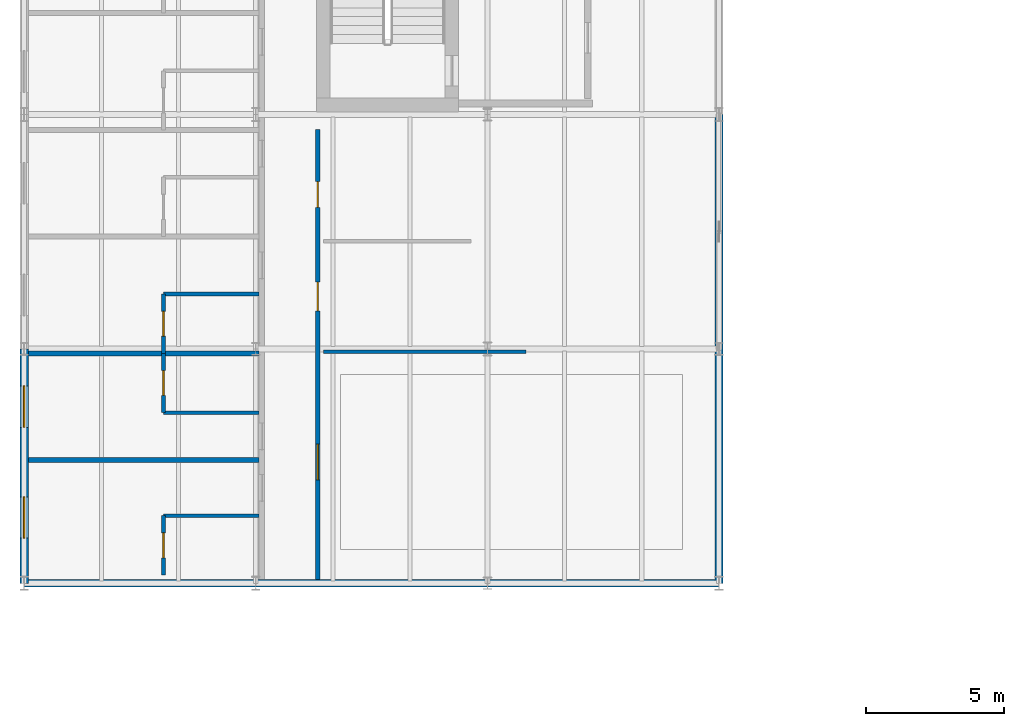
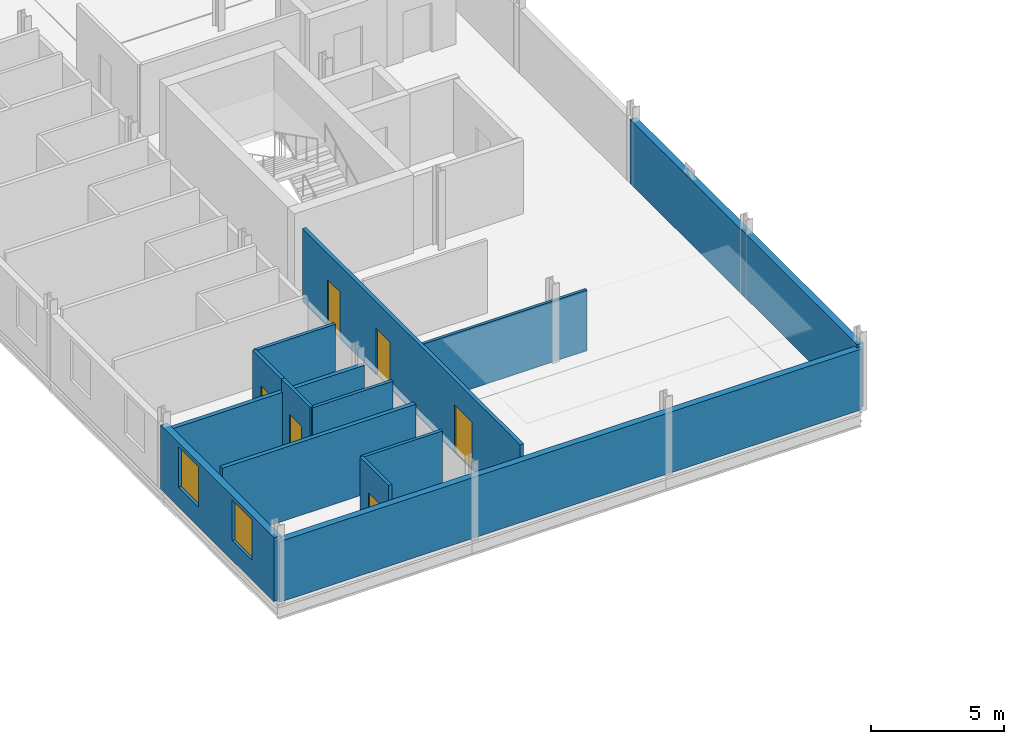
# One storey, part 19 of 36: 13 walls, 6 doors, 2 windows, 8 openings.
"""IFC4 building model written with IfcOpenShell, lengths in metres."""

from ifc_helpers import new_model, si_unit, direction, frame, frame_2d, origin, place, context, subcontext, project, spatial, rectangle, extrude, material, layer, layer_set, type_object, element, fill, save


model = new_model("IFC4")

# Units and contexts
model_context = context("Model", 3, precision=1e-05, world=origin(), true_north=direction((0.0, 1.0)))
body_context = subcontext(model_context, "Body", "Model", "MODEL_VIEW")
ifc_project = project(units=[si_unit("LENGTHUNIT", "METRE"), si_unit("AREAUNIT", "SQUARE_METRE"), si_unit("VOLUMEUNIT", "CUBIC_METRE"), si_unit("PLANEANGLEUNIT", "RADIAN"), si_unit("MASSUNIT", "GRAM", prefix="KILO")], contexts=[model_context])

# Site, building, storey
site_placement = place(None, origin())
site = spatial("IfcSite", under=ifc_project, at=site_placement, CompositionType="ELEMENT")
building_placement = place(site_placement, origin())
building = spatial("IfcBuilding", under=site, at=building_placement, Name="Sefraquen Railside Congress Hotel", CompositionType="ELEMENT")
storey_placement = place(building_placement, frame((0.0, 0.0, 24.60009765625)))
storey = spatial("IfcBuildingStorey", under=building, at=storey_placement, Name="L05", CompositionType="ELEMENT", Elevation=24.60009765625)

# Walls
ifc_material_1 = material(Name="Ochre Rabat calcarenite limestone and Concrete C40/50 backing", Category="masonry")
ifc_layer_1 = layer(ifc_material_1, 0.280029296875)
ifc_layer_set_1 = layer_set([ifc_layer_1], Name="Ochre Rabat calcarenite limestone and Concrete C40/50 backing")
wall_type_1 = type_object("IfcWallType", Name="TW-EW-280", PredefinedType="STANDARD", material=ifc_layer_set_1)
wall_1_placement = place(storey_placement, frame((0.0, 62.5, 0.0), z_axis=(0.0, 0.0, 1.0), x_axis=(1.0, 0.0, 0.0)))
element("IfcWall", 1, at=wall_1_placement, inside=storey, type_object=wall_type_1, Name="Hotel L05 south-west return wall", PredefinedType="STANDARD", context=body_context, shape_type="SweptSolid", body=[
    extrude(rectangle(XDim=25.199951171875, YDim=0.280029296875, at=frame_2d((12.60009765625, 0.0))), origin(), (0.0, 0.0, 1.0), 2.77978515625),
])
wall_2_placement = place(storey_placement, frame((25.199951171875, 62.5, 0.0), z_axis=(0.0, 0.0, 1.0), x_axis=(0.0, 1.0, 0.0)))
element("IfcWall", 2, at=wall_2_placement, inside=storey, type_object=wall_type_1, Name="Hotel L05 courtyard return wall", PredefinedType="STANDARD", context=body_context, shape_type="SweptSolid", body=[
    extrude(rectangle(XDim=17.0, YDim=0.280029296875, at=frame_2d((8.5, 0.0))), origin(), (0.0, 0.0, 1.0), 2.929931640625),
])

# Wall, openings, windows
ifc_layer_2 = layer(ifc_material_1, 0.300048828125)
ifc_layer_set_2 = layer_set([ifc_layer_2], Name="Ochre Rabat calcarenite limestone and Concrete C40/50 backing")
wall_type_2 = type_object("IfcWallType", Name="TW-EW-300", PredefinedType="STANDARD", material=ifc_layer_set_2)
wall_3_placement = place(storey_placement, frame((0.0, 62.5, 0.0), z_axis=(0.0, 0.0, 1.0), x_axis=(0.0, 1.0, 0.0)))
wall_3 = element("IfcWall", 3, at=wall_3_placement, inside=storey, type_object=wall_type_2, Name="Hotel L05 West Forecourt facade wall", PredefinedType="STANDARD", context=body_context, shape_type="SweptSolid", body=[
    extrude(rectangle(XDim=8.5, YDim=0.300048828125, at=frame_2d((4.25, 0.0))), origin(), (0.0, 0.0, 1.0), 2.929931640625),
])
opening_1_placement = place(wall_3_placement, frame((1.637939453125, 0.0, 0.89990234375)))
opening_1 = element("IfcOpeningElement", 4, at=opening_1_placement, cuts=wall_3, Name="Opening WN-11", PredefinedType="OPENING", context=body_context, shape_type="SweptSolid", body=[
    extrude(rectangle(XDim=1.5, YDim=1.85009765625, at=frame_2d((0.75, 0.925048828125))), frame((0.0, 0.159912109375, 0.0), z_axis=(0.0, -1.0, 0.0), x_axis=(1.0, 0.0, 0.0)), (0.0, 0.0, 1.0), 0.320068359375),
])
opening_2_placement = place(wall_3_placement, frame((5.656005859375, 0.0, 0.89990234375)))
opening_2 = element("IfcOpeningElement", 5, at=opening_2_placement, cuts=wall_3, Name="Opening WN-12", PredefinedType="OPENING", context=body_context, shape_type="SweptSolid", body=[
    extrude(rectangle(XDim=1.5, YDim=1.85009765625, at=frame_2d((0.75, 0.925048828125))), frame((0.0, 0.159912109375, 0.0), z_axis=(0.0, -1.0, 0.0), x_axis=(1.0, 0.0, 0.0)), (0.0, 0.0, 1.0), 0.320068359375),
])
ifc_material_2 = material(Name="Solar-control low-E double glazing in bronze-anodised frame", Category="glass")
window_type_1 = type_object("IfcWindowType", Name="TWN-W-11", PartitioningType="DOUBLE_PANEL_VERTICAL", PredefinedType="WINDOW", material=ifc_material_2)
window_1_placement = place(opening_1_placement, origin())
window_1 = element("IfcWindow", 6, at=window_1_placement, inside=storey, type_object=window_type_1, Name="Guest room west window SP-L05-RM-040", OverallHeight=1.85009765625, OverallWidth=1.5, PartitioningType="DOUBLE_PANEL_VERTICAL", PredefinedType="WINDOW", context=body_context, shape_type="SweptSolid", body=[
    extrude(rectangle(XDim=1.5, YDim=1.85009765625, at=frame_2d((0.75, 0.925048828125))), frame((0.0, 0.030029296875, 0.0), z_axis=(0.0, -1.0, 0.0), x_axis=(1.0, 0.0, 0.0)), (0.0, 0.0, 1.0), 0.06005859375),
])
fill(opening_1, window_1)
window_type_2 = type_object("IfcWindowType", Name="TWN-W-12", PartitioningType="DOUBLE_PANEL_VERTICAL", PredefinedType="WINDOW", material=ifc_material_2)
window_2_placement = place(opening_2_placement, origin())
window_2 = element("IfcWindow", 7, at=window_2_placement, inside=storey, type_object=window_type_2, Name="Guest room west window SP-L05-RM-041", OverallHeight=1.85009765625, OverallWidth=1.5, PartitioningType="DOUBLE_PANEL_VERTICAL", PredefinedType="WINDOW", context=body_context, shape_type="SweptSolid", body=[
    extrude(rectangle(XDim=1.5, YDim=1.85009765625, at=frame_2d((0.75, 0.925048828125))), frame((0.0, 0.030029296875, 0.0), z_axis=(0.0, -1.0, 0.0), x_axis=(1.0, 0.0, 0.0)), (0.0, 0.0, 1.0), 0.06005859375),
])
fill(opening_2, window_2)

# Walls
ifc_material_3 = material(Name="Gypsum board on metal stud", Category="gypsum")
ifc_layer_3 = layer(ifc_material_3, 0.1201171875)
ifc_layer_set_3 = layer_set([ifc_layer_3], Name="Gypsum board on metal stud")
wall_type_3 = type_object("IfcWallType", Name="TW-PW-120", PredefinedType="PARTITIONING", material=ifc_layer_set_3)
wall_4_placement = place(storey_placement, frame((10.85009765625, 70.89990234375, 0.0), z_axis=(0.0, 0.0, 1.0), x_axis=(1.0, 0.0, 0.0)))
element("IfcWall", 8, at=wall_4_placement, inside=storey, type_object=wall_type_3, Name="Lounge-pantry divider L05", PredefinedType="PARTITIONING", context=body_context, shape_type="SweptSolid", body=[
    extrude(rectangle(XDim=7.349853515625, YDim=0.1201171875, at=frame_2d((3.6748046875, 0.0))), origin(), (0.0, 0.0, 1.0), 2.77978515625),
])
ifc_material_4 = material(Name="Moisture-resistant gypsum board", Category="gypsum")
ifc_layer_4 = layer(ifc_material_4, 0.139892578125)
ifc_layer_set_4 = layer_set([ifc_layer_4], Name="Moisture-resistant gypsum board")
wall_type_4 = type_object("IfcWallType", Name="TW-PW-140", PredefinedType="PARTITIONING", material=ifc_layer_set_4)
wall_5_placement = place(storey_placement, frame((5.050048828125, 64.949951171875, 0.0), z_axis=(0.0, 0.0, 1.0), x_axis=(1.0, 0.0, 0.0)))
element("IfcWall", 9, at=wall_5_placement, inside=storey, type_object=wall_type_4, Name="West en-suite bathroom north wall RM-040", PredefinedType="PARTITIONING", context=body_context, shape_type="SweptSolid", body=[
    extrude(rectangle(XDim=3.469970703125, YDim=0.139892578125, at=frame_2d((1.73486328125, 0.0))), origin(), (0.0, 0.0, 1.0), 3.33984375),
])

# Wall, opening, door
wall_6_placement = place(storey_placement, frame((5.050048828125, 62.800048828125, 0.0), z_axis=(0.0, 0.0, 1.0), x_axis=(0.0, 1.0, 0.0)))
wall_6 = element("IfcWall", 10, at=wall_6_placement, inside=storey, type_object=wall_type_4, Name="West en-suite bathroom west wall RM-040", PredefinedType="PARTITIONING", context=body_context, shape_type="SweptSolid", body=[
    extrude(rectangle(XDim=2.14990234375, YDim=0.139892578125, at=frame_2d((1.074951171875, 0.0))), origin(), (0.0, 0.0, 1.0), 3.33984375),
])
opening_3_placement = place(wall_6_placement, frame((0.625, 0.0, 0.0)))
opening_3 = element("IfcOpeningElement", 11, at=opening_3_placement, cuts=wall_6, Name="Opening ID-02", PredefinedType="OPENING", context=body_context, shape_type="SweptSolid", body=[
    extrude(rectangle(XDim=0.89990234375, YDim=2.10009765625, at=frame_2d((0.449951171875, 1.050048828125))), frame((0.0, 0.079833984375, 0.0), z_axis=(0.0, -1.0, 0.0), x_axis=(1.0, 0.0, 0.0)), (0.0, 0.0, 1.0), 0.159912109375),
])
ifc_material_5 = material(Name="Lacquered cedar joinery", Category="wood")
door_type_1 = type_object("IfcDoorType", Name="TD-ID-02", OperationType="NOTDEFINED", PredefinedType="DOOR", material=ifc_material_5)
door_1_placement = place(opening_3_placement, frame((0.89990234375, 0.0, 0.0), z_axis=(0.0, 0.0, 1.0), x_axis=(-1.0, 0.0, 0.0)))
door_1 = element("IfcDoor", 12, at=door_1_placement, inside=storey, type_object=door_type_1, Name="En-suite bathroom door RM-040", OperationType="SINGLE_SWING_LEFT", OverallHeight=2.10009765625, OverallWidth=0.89990234375, PredefinedType="DOOR", context=body_context, shape_type="SweptSolid", body=[
    extrude(rectangle(XDim=0.89990234375, YDim=2.10009765625, at=frame_2d((0.449951171875, 1.050048828125))), frame((0.0, 0.02490234375, 0.0), z_axis=(0.0, -1.0, 0.0), x_axis=(1.0, 0.0, 0.0)), (0.0, 0.0, 1.0), 0.050048828125),
])
fill(opening_3, door_1)

# Wall
wall_7_placement = place(storey_placement, frame((5.050048828125, 68.68701171875, 0.0), z_axis=(0.0, 0.0, 1.0), x_axis=(1.0, 0.0, 0.0)))
element("IfcWall", 13, at=wall_7_placement, inside=storey, type_object=wall_type_4, Name="West en-suite bathroom south wall RM-041", PredefinedType="PARTITIONING", context=body_context, shape_type="SweptSolid", body=[
    extrude(rectangle(XDim=3.469970703125, YDim=0.139892578125, at=frame_2d((1.73486328125, 0.0))), origin(), (0.0, 0.0, 1.0), 3.33984375),
])

# Wall, opening, door
wall_8_placement = place(storey_placement, frame((5.050048828125, 68.68701171875, 0.0), z_axis=(0.0, 0.0, 1.0), x_axis=(0.0, 1.0, 0.0)))
wall_8 = element("IfcWall", 14, at=wall_8_placement, inside=storey, type_object=wall_type_4, Name="West en-suite bathroom west wall RM-041", PredefinedType="PARTITIONING", context=body_context, shape_type="SweptSolid", body=[
    extrude(rectangle(XDim=2.14990234375, YDim=0.139892578125, at=frame_2d((1.074951171875, 0.0))), origin(), (0.0, 0.0, 1.0), 3.33984375),
])
opening_4_placement = place(wall_8_placement, frame((0.625, 0.0, 0.0)))
opening_4 = element("IfcOpeningElement", 15, at=opening_4_placement, cuts=wall_8, Name="Opening ID-02", PredefinedType="OPENING", context=body_context, shape_type="SweptSolid", body=[
    extrude(rectangle(XDim=0.89990234375, YDim=2.10009765625, at=frame_2d((0.449951171875, 1.050048828125))), frame((0.0, 0.079833984375, 0.0), z_axis=(0.0, -1.0, 0.0), x_axis=(1.0, 0.0, 0.0)), (0.0, 0.0, 1.0), 0.159912109375),
])
door_2_placement = place(opening_4_placement, frame((0.89990234375, 0.0, 0.0), z_axis=(0.0, 0.0, 1.0), x_axis=(-1.0, 0.0, 0.0)))
door_2 = element("IfcDoor", 16, at=door_2_placement, inside=storey, type_object=door_type_1, Name="En-suite bathroom door RM-041", OperationType="SINGLE_SWING_LEFT", OverallHeight=2.10009765625, OverallWidth=0.89990234375, PredefinedType="DOOR", context=body_context, shape_type="SweptSolid", body=[
    extrude(rectangle(XDim=0.89990234375, YDim=2.10009765625, at=frame_2d((0.449951171875, 1.050048828125))), frame((0.0, 0.02490234375, 0.0), z_axis=(0.0, -1.0, 0.0), x_axis=(1.0, 0.0, 0.0)), (0.0, 0.0, 1.0), 0.050048828125),
])
fill(opening_4, door_2)

# Wall
wall_9_placement = place(storey_placement, frame((5.050048828125, 72.987060546875, 0.0), z_axis=(0.0, 0.0, 1.0), x_axis=(1.0, 0.0, 0.0)))
element("IfcWall", 17, at=wall_9_placement, inside=storey, type_object=wall_type_4, Name="West en-suite bathroom north wall RM-042", PredefinedType="PARTITIONING", context=body_context, shape_type="SweptSolid", body=[
    extrude(rectangle(XDim=3.469970703125, YDim=0.139892578125, at=frame_2d((1.73486328125, 0.0))), origin(), (0.0, 0.0, 1.0), 3.33984375),
])

# Wall, opening, door
wall_10_placement = place(storey_placement, frame((5.050048828125, 70.8369140625, 0.0), z_axis=(0.0, 0.0, 1.0), x_axis=(0.0, 1.0, 0.0)))
wall_10 = element("IfcWall", 18, at=wall_10_placement, inside=storey, type_object=wall_type_4, Name="West en-suite bathroom west wall RM-042", PredefinedType="PARTITIONING", context=body_context, shape_type="SweptSolid", body=[
    extrude(rectangle(XDim=2.150146484375, YDim=0.139892578125, at=frame_2d((1.0751953125, 0.0))), origin(), (0.0, 0.0, 1.0), 3.33984375),
])
opening_5_placement = place(wall_10_placement, frame((0.625, 0.0, 0.0)))
opening_5 = element("IfcOpeningElement", 19, at=opening_5_placement, cuts=wall_10, Name="Opening ID-02", PredefinedType="OPENING", context=body_context, shape_type="SweptSolid", body=[
    extrude(rectangle(XDim=0.89990234375, YDim=2.10009765625, at=frame_2d((0.449951171875, 1.050048828125))), frame((0.0, 0.079833984375, 0.0), z_axis=(0.0, -1.0, 0.0), x_axis=(1.0, 0.0, 0.0)), (0.0, 0.0, 1.0), 0.159912109375),
])
door_3_placement = place(opening_5_placement, frame((0.89990234375, 0.0, 0.0), z_axis=(0.0, 0.0, 1.0), x_axis=(-1.0, 0.0, 0.0)))
door_3 = element("IfcDoor", 20, at=door_3_placement, inside=storey, type_object=door_type_1, Name="En-suite bathroom door RM-042", OperationType="SINGLE_SWING_LEFT", OverallHeight=2.10009765625, OverallWidth=0.89990234375, PredefinedType="DOOR", context=body_context, shape_type="SweptSolid", body=[
    extrude(rectangle(XDim=0.89990234375, YDim=2.10009765625, at=frame_2d((0.449951171875, 1.050048828125))), frame((0.0, 0.02490234375, 0.0), z_axis=(0.0, -1.0, 0.0), x_axis=(1.0, 0.0, 0.0)), (0.0, 0.0, 1.0), 0.050048828125),
])
fill(opening_5, door_3)

# Wall, openings, doors
ifc_layer_5 = layer(ifc_material_4, 0.159912109375)
ifc_layer_set_5 = layer_set([ifc_layer_5], Name="Moisture-resistant gypsum board")
wall_type_5 = type_object("IfcWallType", Name="TW-PW-160", PredefinedType="PARTITIONING", material=ifc_layer_set_5)
wall_11_placement = place(storey_placement, frame((10.64990234375, 62.639892578125, 0.0), z_axis=(0.0, 0.0, 1.0), x_axis=(0.0, 1.0, 0.0)))
wall_11 = element("IfcWall", 21, at=wall_11_placement, inside=storey, type_object=wall_type_5, Name="Hotel L05 west-return corridor E1 partition", PredefinedType="PARTITIONING", context=body_context, shape_type="SweptSolid", body=[
    extrude(rectangle(XDim=16.31005859375, YDim=0.159912109375, at=frame_2d((8.155029296875, 0.0))), origin(), (0.0, 0.0, 1.0), 3.33984375),
])
opening_6_placement = place(wall_11_placement, frame((3.610107421875, 0.0, 0.0)))
opening_6 = element("IfcOpeningElement", 22, at=opening_6_placement, cuts=wall_11, Name="Opening MD-02", PredefinedType="OPENING", context=body_context, shape_type="SweptSolid", body=[
    extrude(rectangle(XDim=1.300048828125, YDim=2.199951171875, at=frame_2d((0.64990234375, 1.10009765625))), frame((0.0, 0.08984375, 0.0), z_axis=(0.0, -1.0, 0.0), x_axis=(1.0, 0.0, 0.0)), (0.0, 0.0, 1.0), 0.179931640625),
])
opening_7_placement = place(wall_11_placement, frame((9.735107421875, 0.0, 0.0)))
opening_7 = element("IfcOpeningElement", 23, at=opening_7_placement, cuts=wall_11, Name="Opening ID-04", PredefinedType="OPENING", context=body_context, shape_type="SweptSolid", body=[
    extrude(rectangle(XDim=1.050048828125, YDim=2.1201171875, at=frame_2d((0.52490234375, 1.06005859375))), frame((0.0, 0.08984375, 0.0), z_axis=(0.0, -1.0, 0.0), x_axis=(1.0, 0.0, 0.0)), (0.0, 0.0, 1.0), 0.179931640625),
])
opening_8_placement = place(wall_11_placement, frame((13.489990234375, 0.0, 0.0)))
opening_8 = element("IfcOpeningElement", 24, at=opening_8_placement, cuts=wall_11, Name="Opening ID-01", PredefinedType="OPENING", context=body_context, shape_type="SweptSolid", body=[
    extrude(rectangle(XDim=0.93994140625, YDim=2.14990234375, at=frame_2d((0.469970703125, 1.074951171875))), frame((0.0, 0.08984375, 0.0), z_axis=(0.0, -1.0, 0.0), x_axis=(1.0, 0.0, 0.0)), (0.0, 0.0, 1.0), 0.179931640625),
])
door_type_2 = type_object("IfcDoorType", Name="TD-ID-01", OperationType="NOTDEFINED", PredefinedType="DOOR", material=ifc_material_5)
door_4_placement = place(opening_8_placement, origin())
door_4 = element("IfcDoor", 25, at=door_4_placement, inside=storey, type_object=door_type_2, Name="Hotel floor Accessible WC door L05", OperationType="SINGLE_SWING_LEFT", OverallHeight=2.14990234375, OverallWidth=0.93994140625, PredefinedType="DOOR", context=body_context, shape_type="SweptSolid", body=[
    extrude(rectangle(XDim=0.93994140625, YDim=2.14990234375, at=frame_2d((0.469970703125, 1.074951171875))), frame((0.0, 0.02490234375, 0.0), z_axis=(0.0, -1.0, 0.0), x_axis=(1.0, 0.0, 0.0)), (0.0, 0.0, 1.0), 0.050048828125),
])
fill(opening_8, door_4)
ifc_material_6 = material(Name="Painted timber", Category="wood")
door_type_3 = type_object("IfcDoorType", Name="TD-ID-04", OperationType="NOTDEFINED", PredefinedType="DOOR", material=ifc_material_6)
door_5_placement = place(opening_7_placement, origin())
door_5 = element("IfcDoor", 26, at=door_5_placement, inside=storey, type_object=door_type_3, Name="Housekeeping pantry door L05", OperationType="SINGLE_SWING_RIGHT", OverallHeight=2.1201171875, OverallWidth=1.050048828125, PredefinedType="DOOR", context=body_context, shape_type="SweptSolid", body=[
    extrude(rectangle(XDim=1.050048828125, YDim=2.1201171875, at=frame_2d((0.52490234375, 1.06005859375))), frame((0.0, 0.02490234375, 0.0), z_axis=(0.0, -1.0, 0.0), x_axis=(1.0, 0.0, 0.0)), (0.0, 0.0, 1.0), 0.050048828125),
])
fill(opening_7, door_5)
ifc_material_7 = material(Name="Acoustic cedar veneer", Category="wood")
door_type_4 = type_object("IfcDoorType", Name="TD-MD-02", OperationType="NOTDEFINED", PredefinedType="DOOR", material=ifc_material_7)
door_6_placement = place(opening_6_placement, origin())
door_6 = element("IfcDoor", 27, at=door_6_placement, inside=storey, type_object=door_type_4, Name="Floor hospitality salon door L05", OperationType="SINGLE_SWING_LEFT", OverallHeight=2.199951171875, OverallWidth=1.300048828125, PredefinedType="DOOR", context=body_context, shape_type="SweptSolid", body=[
    extrude(rectangle(XDim=1.300048828125, YDim=2.199951171875, at=frame_2d((0.64990234375, 1.10009765625))), frame((0.0, 0.02490234375, 0.0), z_axis=(0.0, -1.0, 0.0), x_axis=(1.0, 0.0, 0.0)), (0.0, 0.0, 1.0), 0.050048828125),
])
fill(opening_6, door_6)

# Walls
ifc_material_8 = material(Name="Acoustic gypsum board on metal stud", Category="gypsum")
ifc_layer_6 = layer(ifc_material_8, 0.179931640625)
ifc_layer_set_6 = layer_set([ifc_layer_6], Name="Acoustic gypsum board on metal stud")
wall_type_6 = type_object("IfcWallType", Name="TW-PW-180", PredefinedType="PARTITIONING", material=ifc_layer_set_6)
wall_12_placement = place(storey_placement, frame((0.14990234375, 66.97607421875, 0.0), z_axis=(0.0, 0.0, 1.0), x_axis=(1.0, 0.0, 0.0)))
element("IfcWall", 28, at=wall_12_placement, inside=storey, type_object=wall_type_6, Name="West return guest room demising wall RM-040", PredefinedType="PARTITIONING", context=body_context, shape_type="SweptSolid", body=[
    extrude(rectangle(XDim=8.3701171875, YDim=0.179931640625, at=frame_2d((4.18505859375, 0.0))), origin(), (0.0, 0.0, 1.0), 3.33984375),
])
wall_13_placement = place(storey_placement, frame((0.14990234375, 70.8369140625, 0.0), z_axis=(0.0, 0.0, 1.0), x_axis=(1.0, 0.0, 0.0)))
element("IfcWall", 29, at=wall_13_placement, inside=storey, type_object=wall_type_6, Name="West return guest room demising wall RM-041", PredefinedType="PARTITIONING", context=body_context, shape_type="SweptSolid", body=[
    extrude(rectangle(XDim=8.3701171875, YDim=0.179931640625, at=frame_2d((4.18505859375, 0.0))), origin(), (0.0, 0.0, 1.0), 2.77978515625),
])

save(model, "model.ifc")
